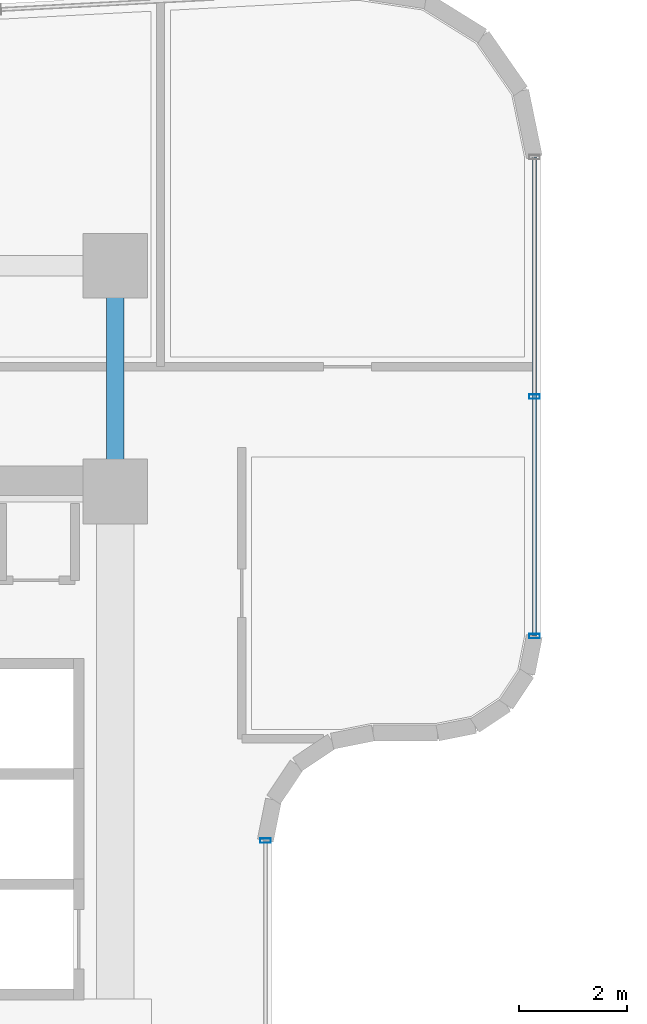
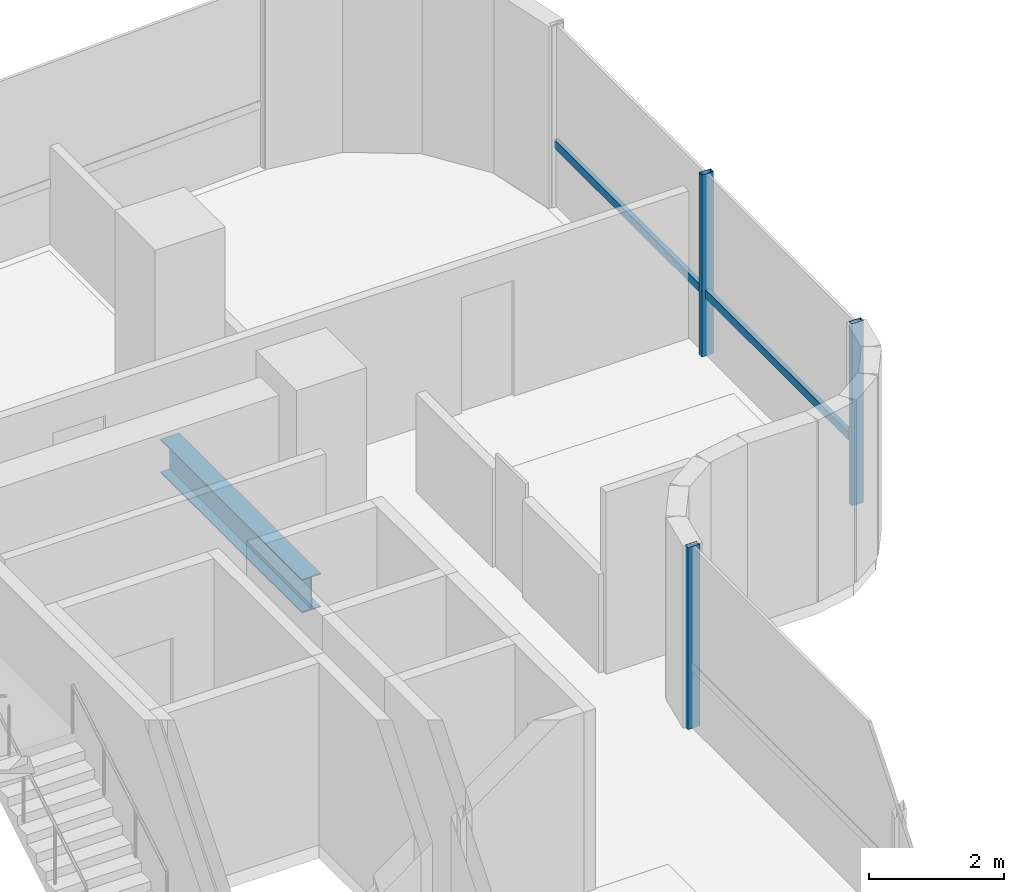
# One storey, part 12 of 35: 4 members, 1 beam, 2 elements without a shape of their own.
"""IFC4 building model written with IfcOpenShell, lengths in metres."""

from ifc_helpers import new_model, si_unit, direction, frame, origin, origin_2d, place, context, subcontext, project, spatial, hollow_rectangle, i_section, extrude, source, transform, mapped, material, material_profile, profile_set, type_object, element, aggregate, save


model = new_model("IFC4")

# Units and contexts
model_context = context("Model", 3, precision=1e-05, world=origin(), true_north=direction((0.0, 1.0)))
body_context = subcontext(model_context, "Body", "Model", "MODEL_VIEW")
ifc_project = project(units=[si_unit("LENGTHUNIT", "METRE"), si_unit("AREAUNIT", "SQUARE_METRE"), si_unit("VOLUMEUNIT", "CUBIC_METRE"), si_unit("PLANEANGLEUNIT", "RADIAN"), si_unit("MASSUNIT", "GRAM", prefix="KILO")], contexts=[model_context])

# Site, building, storey
site_placement = place(None, origin())
site = spatial("IfcSite", under=ifc_project, at=site_placement, CompositionType="ELEMENT")
building_placement = place(site_placement, origin())
building = spatial("IfcBuilding", under=site, at=building_placement, Name="Valdorenza Pilgrim Sanctuary Tower", CompositionType="ELEMENT")
storey_placement = place(building_placement, frame((0.0, 0.0, 168.60009765625)))
storey = spatial("IfcBuildingStorey", under=building, at=storey_placement, Name="L43", CompositionType="ELEMENT", Elevation=168.60009765625)

# Beam
ifc_material_1 = material(Name="Steel ASTM A992 Grade 50", Category="steel")
ifc_material_profile_1 = material_profile(ifc_material_1, i_section(OverallWidth=0.323974609375, OverallDepth=0.611083984375, WebThickness=0.0126953125, FlangeThickness=0.01904296875, at=origin_2d()), Name="W24X104")
ifc_profile_set_1 = profile_set([ifc_material_profile_1], Name="Steel ASTM A992 Grade 50")
beam_type = type_object("IfcBeamType", Name="STR-BM-GRD-W24B", PredefinedType="BEAM", material=ifc_profile_set_1)
shared_shape_1 = source(origin(), body_context, "Body", "SweptSolid", [
    extrude(i_section(OverallWidth=0.323974609375, OverallDepth=0.611083984375, WebThickness=0.0126953125, FlangeThickness=0.01904296875, at=origin_2d()), origin(), (0.0, 0.0, 1.0), 4.199951171875),
])
beam_placement = place(storey_placement, frame((-12.39990234375, 10.60009765625, -0.545654296875), z_axis=(0.0, 1.0, 0.0), x_axis=(-1.0, 0.0, 0.0)))
element("IfcBeam", 1, at=beam_placement, inside=storey, type_object=beam_type, Name="L43 Core Tie Girder CA-E-N1N2", PredefinedType="BEAM", context=body_context, shape_type="MappedRepresentation", body=[
    mapped(shared_shape_1, transform((0.0, 0.0, 0.0), x_axis=(1.0, 0.0, 0.0), y_axis=(0.0, 1.0, 0.0), z_axis=(0.0, 0.0, 1.0), scale=1.0)),
])

# Curtain wall, members
ifc_material_2 = material(Name="Curtain-wall IGU glazing", Category="glass")
curtain_wall_type = type_object("IfcCurtainWallType", Name="CW-SYS-02", PredefinedType="NOTDEFINED", material=ifc_material_2)
curtain_wall_1_placement = place(storey_placement, origin())
curtain_wall_1 = element("IfcCurtainWall", 2, at=curtain_wall_1_placement, inside=storey, type_object=curtain_wall_type, Name="L43 Curtain Wall CW-L43-1-11", PredefinedType="NOTDEFINED")
ifc_material_3 = material(Name="Anodised aluminium AW-6060", Category="aluminium")
ifc_material_profile_2 = material_profile(ifc_material_3, hollow_rectangle(XDim=0.074951171875, YDim=0.14990234375, WallThickness=0.00390625, at=origin_2d()), Name="ALU-T 150x75x4")
ifc_profile_set_2 = profile_set([ifc_material_profile_2], Name="Anodised aluminium AW-6060")
member_type_1 = type_object("IfcMemberType", Name="CW-TRN-02", PredefinedType="USERDEFINED", material=ifc_profile_set_2)
shared_shape_2 = source(origin(), body_context, "Body", "SweptSolid", [
    extrude(hollow_rectangle(XDim=0.074951171875, YDim=0.14990234375, WallThickness=0.00390625, at=origin_2d()), origin(), (0.0, 0.0, 1.0), 8.904296875),
])
member_1_placement = place(storey_placement, frame((-4.610107421875, 16.815185546875, 1.119873046875), z_axis=(0.0, -1.0, 0.0), x_axis=(1.0, 0.0, 0.0)))
member_1 = element("IfcMember", 3, at=member_1_placement, type_object=member_type_1, Name="CW-L43-1-11 Transom 1", ObjectType="TRANSOM", PredefinedType="USERDEFINED", context=body_context, shape_type="MappedRepresentation", body=[
    mapped(shared_shape_2, transform((0.0, 0.0, 0.0), x_axis=(1.0, 0.0, 0.0), y_axis=(0.0, 1.0, 0.0), z_axis=(0.0, 0.0, 1.0), scale=1.0)),
])
ifc_material_profile_3 = material_profile(ifc_material_3, hollow_rectangle(XDim=0.0849609375, YDim=0.199951171875, WallThickness=0.0048828125, at=origin_2d()), Name="ALU-M 200x85x5")
ifc_profile_set_3 = profile_set([ifc_material_profile_3], Name="Anodised aluminium AW-6060")
member_type_2 = type_object("IfcMemberType", Name="CW-MUL-02", PredefinedType="MULLION", material=ifc_profile_set_3)
shared_shape_3 = source(origin(), body_context, "Body", "SweptSolid", [
    extrude(hollow_rectangle(XDim=0.0849609375, YDim=0.199951171875, WallThickness=0.0048828125, at=origin_2d()), origin(), (0.0, 0.0, 1.0), 3.2998046875),
])
member_2_placement = place(storey_placement, frame((-4.610107421875, 12.363037109375, 0.0), z_axis=(0.0, 0.0, 1.0), x_axis=(0.0, -1.0, 0.0)))
member_2 = element("IfcMember", 4, at=member_2_placement, type_object=member_type_2, Name="CW-L43-1-11 Mullion 2", PredefinedType="MULLION", context=body_context, shape_type="MappedRepresentation", body=[
    mapped(shared_shape_3, transform((0.0, 0.0, 0.0), x_axis=(1.0, 0.0, 0.0), y_axis=(0.0, 1.0, 0.0), z_axis=(0.0, 0.0, 1.0), scale=1.0)),
])
member_3_placement = place(storey_placement, frame((-4.610107421875, 7.910888671875, 0.0), z_axis=(0.0, 0.0, 1.0), x_axis=(0.0, -1.0, 0.0)))
member_3 = element("IfcMember", 5, at=member_3_placement, type_object=member_type_2, Name="CW-L43-1-11 Mullion 3", PredefinedType="MULLION", context=body_context, shape_type="MappedRepresentation", body=[
    mapped(shared_shape_3, transform((0.0, 0.0, 0.0), x_axis=(1.0, 0.0, 0.0), y_axis=(0.0, 1.0, 0.0), z_axis=(0.0, 0.0, 1.0), scale=1.0)),
])
aggregate(curtain_wall_1, [member_2, member_3, member_1])

# Curtain wall, member
curtain_wall_2_placement = place(storey_placement, origin())
curtain_wall_2 = element("IfcCurtainWall", 6, at=curtain_wall_2_placement, inside=storey, type_object=curtain_wall_type, Name="L43 Curtain Wall CW-L43-1-21", PredefinedType="NOTDEFINED")
member_4_placement = place(storey_placement, frame((-9.610107421875, 4.11083984375, 0.0), z_axis=(0.0, 0.0, 1.0), x_axis=(0.0, -1.0, 0.0)))
member_4 = element("IfcMember", 7, at=member_4_placement, type_object=member_type_2, Name="CW-L43-1-21 Mullion 1", PredefinedType="MULLION", context=body_context, shape_type="MappedRepresentation", body=[
    mapped(shared_shape_3, transform((0.0, 0.0, 0.0), x_axis=(1.0, 0.0, 0.0), y_axis=(0.0, 1.0, 0.0), z_axis=(0.0, 0.0, 1.0), scale=1.0)),
])
aggregate(curtain_wall_2, [member_4])

save(model, "model.ifc")
